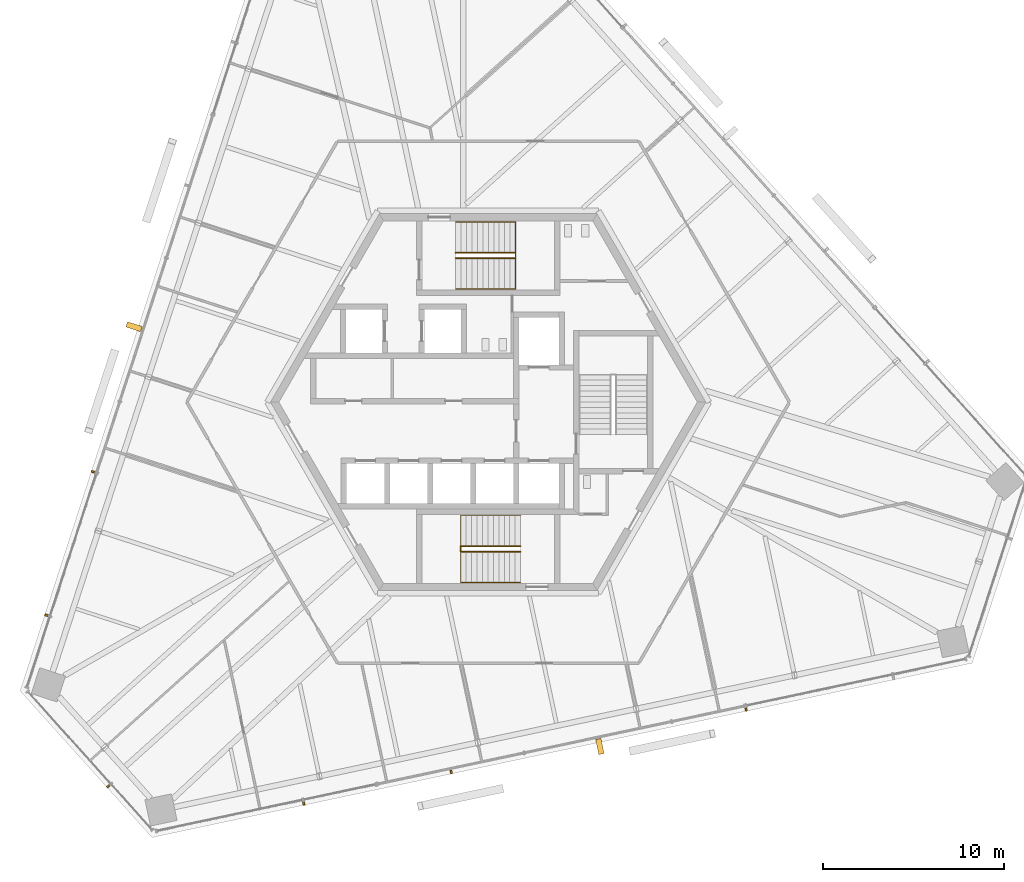
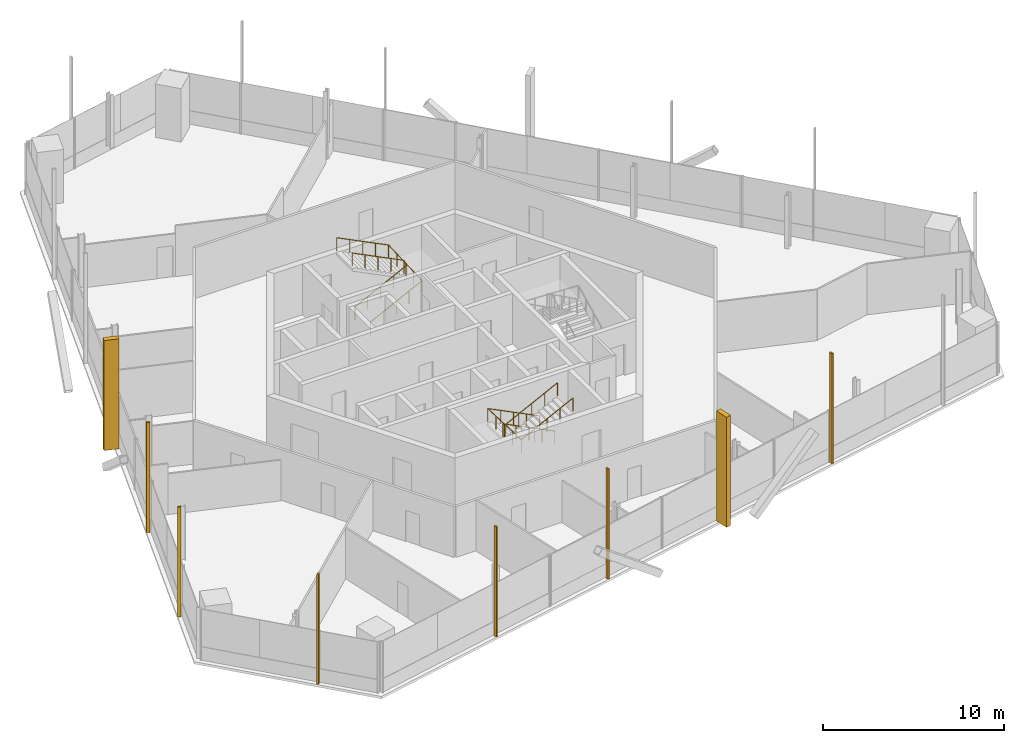
# One storey, part 14 of 17: 8 shading devices, 4 railings.
"""IFC4 building model written with IfcOpenShell, lengths in metres."""

from ifc_helpers import new_model, si_unit, direction, frame, origin, origin_2d, place, context, subcontext, project, spatial, rectangle, circle, extrude, source, transform, mapped, material, type_object, element, save


model = new_model("IFC4")

# Units and contexts
model_context = context("Model", 3, precision=1e-05, world=origin(), true_north=direction((0.0, 1.0)))
body_context = subcontext(model_context, "Body", "Model", "MODEL_VIEW")
ifc_project = project(units=[si_unit("LENGTHUNIT", "METRE"), si_unit("AREAUNIT", "SQUARE_METRE"), si_unit("VOLUMEUNIT", "CUBIC_METRE"), si_unit("PLANEANGLEUNIT", "RADIAN"), si_unit("MASSUNIT", "GRAM", prefix="KILO")], contexts=[model_context])

# Site, building, storey
site_placement = place(None, origin())
site = spatial("IfcSite", under=ifc_project, at=site_placement, CompositionType="ELEMENT")
building_placement = place(site_placement, origin())
building = spatial("IfcBuilding", under=site, at=building_placement, Name="Triune Harvest Tower", CompositionType="ELEMENT")
storey_placement = place(building_placement, frame((0.0, 0.0, 281.10009765625)))
storey = spatial("IfcBuildingStorey", under=building, at=storey_placement, Name="L74", CompositionType="ELEMENT", Elevation=281.10009765625)

# Railings
ifc_material_1 = material(Name="Stainless steel AISI 316", Category="steel")
railing_type = type_object("IfcRailingType", Name="Stair handrail", PredefinedType="HANDRAIL", material=ifc_material_1)
shared_shape_1 = source(origin(), body_context, "Body", "SweptSolid", [
    extrude(circle(Radius=0.02392578125, at=origin_2d()), frame((0.0, 0.0, 0.8759765625), z_axis=(0.894440424912, 0.0, 0.447187126696), x_axis=(0.0, 1.0, 0.0)), (0.0, 0.0, 1.0), 3.689453125),
    extrude(circle(Radius=0.02392578125, at=origin_2d()), frame((3.300048828125, 0.0, 2.52587890625), z_axis=(0.0, 0.999177620331, 0.040547293732), x_axis=(-1.0, 0.0, 0.0)), (0.0, 0.0, 1.0), 3.702880859375),
    extrude(circle(Radius=0.02392578125, at=origin_2d()), frame((3.300048828125, 3.699951171875, 2.67578125), z_axis=(-0.894440424912, 0.0, 0.447187126696), x_axis=(0.0, -1.0, 0.0)), (0.0, 0.0, 1.0), 3.689453125),
    extrude(circle(Radius=0.02099609375, at=origin_2d()), origin(), (0.0, 0.0, 1.0), 0.851806640625),
    extrude(circle(Radius=0.02099609375, at=origin_2d()), frame((0.824951171875, 0.0, 0.41259765625)), (0.0, 0.0, 1.0), 0.851806640625),
    extrude(circle(Radius=0.02099609375, at=origin_2d()), frame((1.64990234375, 0.0, 0.824951171875)), (0.0, 0.0, 1.0), 0.851806640625),
    extrude(circle(Radius=0.02099609375, at=origin_2d()), frame((2.47509765625, 0.0, 1.2373046875)), (0.0, 0.0, 1.0), 0.851806640625),
    extrude(circle(Radius=0.02099609375, at=origin_2d()), frame((3.300048828125, 0.0, 1.64990234375)), (0.0, 0.0, 1.0), 0.851806640625),
    extrude(circle(Radius=0.02099609375, at=origin_2d()), frame((3.300048828125, 0.925048828125, 1.6875)), (0.0, 0.0, 1.0), 0.851806640625),
    extrude(circle(Radius=0.02099609375, at=origin_2d()), frame((3.300048828125, 1.85009765625, 1.72509765625)), (0.0, 0.0, 1.0), 0.851806640625),
    extrude(circle(Radius=0.02099609375, at=origin_2d()), frame((3.300048828125, 2.77490234375, 1.762451171875)), (0.0, 0.0, 1.0), 0.851806640625),
    extrude(circle(Radius=0.02099609375, at=origin_2d()), frame((3.300048828125, 3.699951171875, 1.800048828125)), (0.0, 0.0, 1.0), 0.851806640625),
    extrude(circle(Radius=0.02099609375, at=origin_2d()), frame((2.47509765625, 3.699951171875, 2.21240234375)), (0.0, 0.0, 1.0), 0.851806640625),
    extrude(circle(Radius=0.02099609375, at=origin_2d()), frame((1.64990234375, 3.699951171875, 2.625)), (0.0, 0.0, 1.0), 0.851806640625),
    extrude(circle(Radius=0.02099609375, at=origin_2d()), frame((0.824951171875, 3.699951171875, 3.03759765625)), (0.0, 0.0, 1.0), 0.851806640625),
    extrude(circle(Radius=0.02099609375, at=origin_2d()), frame((0.0, 3.699951171875, 3.449951171875)), (0.0, 0.0, 1.0), 0.851806640625),
])
railing_1_placement = place(storey_placement, frame((-1.7900390625, 6.239990234375, 0.14990234375)))
element("IfcRailing", 1, at=railing_1_placement, inside=storey, type_object=railing_type, Name="Exit stair north wall handrail", PredefinedType="HANDRAIL", context=body_context, shape_type="MappedRepresentation", body=[
    mapped(shared_shape_1, transform((0.0, 0.0, 0.0), scale=1.0)),
])
shared_shape_2 = source(origin(), body_context, "Body", "SweptSolid", [
    extrude(circle(Radius=0.02392578125, at=origin_2d()), frame((0.0, 0.0, 0.8759765625), z_axis=(0.894440424912, 0.0, 0.447187126696), x_axis=(0.0, 1.0, 0.0)), (0.0, 0.0, 1.0), 3.689453125),
    extrude(circle(Radius=0.02392578125, at=origin_2d()), frame((3.300048828125, 0.0, 2.52587890625), z_axis=(0.0, 0.894281613681, 0.447504631744), x_axis=(-1.0, 0.0, 0.0)), (0.0, 0.0, 1.0), 0.33544921875),
    extrude(circle(Radius=0.02392578125, at=origin_2d()), frame((3.300048828125, 0.300048828125, 2.67578125), z_axis=(-0.894440424912, 0.0, 0.447187126696), x_axis=(0.0, -1.0, 0.0)), (0.0, 0.0, 1.0), 3.689453125),
    extrude(circle(Radius=0.02099609375, at=origin_2d()), origin(), (0.0, 0.0, 1.0), 0.851806640625),
    extrude(circle(Radius=0.02099609375, at=origin_2d()), frame((0.824951171875, 0.0, 0.41259765625)), (0.0, 0.0, 1.0), 0.851806640625),
    extrude(circle(Radius=0.02099609375, at=origin_2d()), frame((1.64990234375, 0.0, 0.824951171875)), (0.0, 0.0, 1.0), 0.851806640625),
    extrude(circle(Radius=0.02099609375, at=origin_2d()), frame((2.47509765625, 0.0, 1.2373046875)), (0.0, 0.0, 1.0), 0.851806640625),
    extrude(circle(Radius=0.02099609375, at=origin_2d()), frame((3.300048828125, 0.0, 1.64990234375)), (0.0, 0.0, 1.0), 0.851806640625),
    extrude(circle(Radius=0.02099609375, at=origin_2d()), frame((3.300048828125, 0.300048828125, 1.800048828125)), (0.0, 0.0, 1.0), 0.851806640625),
    extrude(circle(Radius=0.02099609375, at=origin_2d()), frame((2.47509765625, 0.300048828125, 2.21240234375)), (0.0, 0.0, 1.0), 0.851806640625),
    extrude(circle(Radius=0.02099609375, at=origin_2d()), frame((1.64990234375, 0.300048828125, 2.625)), (0.0, 0.0, 1.0), 0.851806640625),
    extrude(circle(Radius=0.02099609375, at=origin_2d()), frame((0.824951171875, 0.300048828125, 3.03759765625)), (0.0, 0.0, 1.0), 0.851806640625),
    extrude(circle(Radius=0.02099609375, at=origin_2d()), frame((0.0, 0.300048828125, 3.449951171875)), (0.0, 0.0, 1.0), 0.851806640625),
])
railing_2_placement = place(storey_placement, frame((-1.7900390625, 7.93994140625, 0.14990234375)))
element("IfcRailing", 2, at=railing_2_placement, inside=storey, type_object=railing_type, Name="Exit stair north centre handrail", PredefinedType="HANDRAIL", context=body_context, shape_type="MappedRepresentation", body=[
    mapped(shared_shape_2, transform((0.0, 0.0, 0.0), scale=1.0)),
])
shared_shape_3 = source(origin(), body_context, "Body", "SweptSolid", [
    extrude(circle(Radius=0.02392578125, at=origin_2d()), frame((0.0, 0.0, 0.8759765625), z_axis=(-0.894440424912, 0.0, 0.447187126696), x_axis=(0.0, -1.0, 0.0)), (0.0, 0.0, 1.0), 3.689453125),
    extrude(circle(Radius=0.02392578125, at=origin_2d()), frame((-3.300048828125, 0.0, 2.52587890625), z_axis=(0.0, -0.999177620331, 0.040547293732), x_axis=(1.0, 0.0, 0.0)), (0.0, 0.0, 1.0), 3.702880859375),
    extrude(circle(Radius=0.02392578125, at=origin_2d()), frame((-3.300048828125, -3.699951171875, 2.67578125), z_axis=(0.894440424912, 0.0, 0.447187126696), x_axis=(0.0, 1.0, 0.0)), (0.0, 0.0, 1.0), 3.689453125),
    extrude(circle(Radius=0.02099609375, at=origin_2d()), origin(), (0.0, 0.0, 1.0), 0.851806640625),
    extrude(circle(Radius=0.02099609375, at=origin_2d()), frame((-0.824951171875, 0.0, 0.41259765625)), (0.0, 0.0, 1.0), 0.851806640625),
    extrude(circle(Radius=0.02099609375, at=origin_2d()), frame((-1.64990234375, 0.0, 0.824951171875)), (0.0, 0.0, 1.0), 0.851806640625),
    extrude(circle(Radius=0.02099609375, at=origin_2d()), frame((-2.47509765625, 0.0, 1.2373046875)), (0.0, 0.0, 1.0), 0.851806640625),
    extrude(circle(Radius=0.02099609375, at=origin_2d()), frame((-3.300048828125, 0.0, 1.64990234375)), (0.0, 0.0, 1.0), 0.851806640625),
    extrude(circle(Radius=0.02099609375, at=origin_2d()), frame((-3.300048828125, -0.925048828125, 1.6875)), (0.0, 0.0, 1.0), 0.851806640625),
    extrude(circle(Radius=0.02099609375, at=origin_2d()), frame((-3.300048828125, -1.85009765625, 1.72509765625)), (0.0, 0.0, 1.0), 0.851806640625),
    extrude(circle(Radius=0.02099609375, at=origin_2d()), frame((-3.300048828125, -2.77490234375, 1.762451171875)), (0.0, 0.0, 1.0), 0.851806640625),
    extrude(circle(Radius=0.02099609375, at=origin_2d()), frame((-3.300048828125, -3.699951171875, 1.800048828125)), (0.0, 0.0, 1.0), 0.851806640625),
    extrude(circle(Radius=0.02099609375, at=origin_2d()), frame((-2.47509765625, -3.699951171875, 2.21240234375)), (0.0, 0.0, 1.0), 0.851806640625),
    extrude(circle(Radius=0.02099609375, at=origin_2d()), frame((-1.64990234375, -3.699951171875, 2.625)), (0.0, 0.0, 1.0), 0.851806640625),
    extrude(circle(Radius=0.02099609375, at=origin_2d()), frame((-0.824951171875, -3.699951171875, 3.03759765625)), (0.0, 0.0, 1.0), 0.851806640625),
    extrude(circle(Radius=0.02099609375, at=origin_2d()), frame((0.0, -3.699951171875, 3.449951171875)), (0.0, 0.0, 1.0), 0.851806640625),
])
railing_3_placement = place(storey_placement, frame((1.7900390625, -6.239990234375, 0.14990234375)))
element("IfcRailing", 3, at=railing_3_placement, inside=storey, type_object=railing_type, Name="Exit stair south wall handrail", PredefinedType="HANDRAIL", context=body_context, shape_type="MappedRepresentation", body=[
    mapped(shared_shape_3, transform((0.0, 0.0, 0.0), scale=1.0)),
])
shared_shape_4 = source(origin(), body_context, "Body", "SweptSolid", [
    extrude(circle(Radius=0.02392578125, at=origin_2d()), frame((0.0, 0.0, 0.8759765625), z_axis=(-0.894440424912, 0.0, 0.447187126696), x_axis=(0.0, -1.0, 0.0)), (0.0, 0.0, 1.0), 3.689453125),
    extrude(circle(Radius=0.02392578125, at=origin_2d()), frame((-3.300048828125, 0.0, 2.52587890625), z_axis=(0.0, -0.894281613681, 0.447504631744), x_axis=(1.0, 0.0, 0.0)), (0.0, 0.0, 1.0), 0.33544921875),
    extrude(circle(Radius=0.02392578125, at=origin_2d()), frame((-3.300048828125, -0.300048828125, 2.67578125), z_axis=(0.894440424912, 0.0, 0.447187126696), x_axis=(0.0, 1.0, 0.0)), (0.0, 0.0, 1.0), 3.689453125),
    extrude(circle(Radius=0.02099609375, at=origin_2d()), origin(), (0.0, 0.0, 1.0), 0.851806640625),
    extrude(circle(Radius=0.02099609375, at=origin_2d()), frame((-0.824951171875, 0.0, 0.41259765625)), (0.0, 0.0, 1.0), 0.851806640625),
    extrude(circle(Radius=0.02099609375, at=origin_2d()), frame((-1.64990234375, 0.0, 0.824951171875)), (0.0, 0.0, 1.0), 0.851806640625),
    extrude(circle(Radius=0.02099609375, at=origin_2d()), frame((-2.47509765625, 0.0, 1.2373046875)), (0.0, 0.0, 1.0), 0.851806640625),
    extrude(circle(Radius=0.02099609375, at=origin_2d()), frame((-3.300048828125, 0.0, 1.64990234375)), (0.0, 0.0, 1.0), 0.851806640625),
    extrude(circle(Radius=0.02099609375, at=origin_2d()), frame((-3.300048828125, -0.300048828125, 1.800048828125)), (0.0, 0.0, 1.0), 0.851806640625),
    extrude(circle(Radius=0.02099609375, at=origin_2d()), frame((-2.47509765625, -0.300048828125, 2.21240234375)), (0.0, 0.0, 1.0), 0.851806640625),
    extrude(circle(Radius=0.02099609375, at=origin_2d()), frame((-1.64990234375, -0.300048828125, 2.625)), (0.0, 0.0, 1.0), 0.851806640625),
    extrude(circle(Radius=0.02099609375, at=origin_2d()), frame((-0.824951171875, -0.300048828125, 3.03759765625)), (0.0, 0.0, 1.0), 0.851806640625),
    extrude(circle(Radius=0.02099609375, at=origin_2d()), frame((0.0, -0.300048828125, 3.449951171875)), (0.0, 0.0, 1.0), 0.851806640625),
])
railing_4_placement = place(storey_placement, frame((1.7900390625, -7.93994140625, 0.14990234375)))
element("IfcRailing", 4, at=railing_4_placement, inside=storey, type_object=railing_type, Name="Exit stair south centre handrail", PredefinedType="HANDRAIL", context=body_context, shape_type="MappedRepresentation", body=[
    mapped(shared_shape_4, transform((0.0, 0.0, 0.0), scale=1.0)),
])

# Shading devices
ifc_material_2 = material(Name="Aluminium bronze anodised", Category="aluminium")
shared_shape_5 = source(origin(), body_context, "Body", "SweptSolid", [
    extrude(rectangle(XDim=0.10009765625, YDim=0.199951171875, at=origin_2d()), origin(), (0.0, 0.0, 1.0), 7.419921875),
])
for number, where, z_axis, x_axis, name in (
    (5, (-21.78466796875, -3.845947265625, 0.0), (0.0, 0.0, 1.0), (-0.309016354995, -0.951056724042, 0.0), "FN-1 fin B7-F3.9 L74"),
    (6, (-24.35302734375, -11.750732421875, 0.0), (0.0, 0.0, 1.0), (-0.309016354995, -0.951056724042, 0.0), "FN-1 fin B7-F3.11 L74"),
    (7, (-20.944580078125, -21.1806640625, 0.0), (0.0, 0.0, 1.0), (0.669132031472, -0.743143542297, 0.0), "FN-1 fin B7-F4.3 L74"),
    (8, (-10.1669921875, -22.127197265625, 0.0), (0.0, 0.0, 1.0), (0.978147751834, 0.207910979944, 0.0), "FN-1 fin B7-F5.3 L74"),
    (9, (-2.036865234375, -20.399169921875, 0.0), (0.0, 0.0, 1.0), (0.978147751834, 0.207910979944, 0.0), "FN-1 fin B7-F5.5 L74"),
    (10, (14.222900390625, -16.943115234375, 0.0), (0.0, 0.0, 1.0), (0.978147751834, 0.207910979944, 0.0), "FN-1 fin B7-F5.9 L74"),
):
    element("IfcShadingDevice", number, at=place(storey_placement, frame(where, z_axis=z_axis, x_axis=x_axis)), inside=storey, material=ifc_material_2, Name=name, ObjectType="FIN", PredefinedType="USERDEFINED", context=body_context, shape_type="MappedRepresentation", body=[
        mapped(shared_shape_5, transform((0.0, 0.0, 0.0), scale=1.0)),
    ])
shared_shape_6 = source(origin(), body_context, "Body", "SweptSolid", [
    extrude(rectangle(XDim=0.300048828125, YDim=0.85009765625, at=origin_2d()), origin(), (0.0, 0.0, 1.0), 7.419921875),
])
for number, where, z_axis, x_axis, name in (
    (11, (-19.525146484375, 4.1591796875, 0.0), (0.0, 0.0, 1.0), (-0.309016354995, -0.951056724042, 0.0), "FN-2 fin B7-F3.7 L74"),
    (12, (6.16064453125, -18.989013671875, 0.0), (0.0, 0.0, 1.0), (0.978147751834, 0.207910979944, 0.0), "FN-2 fin B7-F5.7 L74"),
):
    element("IfcShadingDevice", number, at=place(storey_placement, frame(where, z_axis=z_axis, x_axis=x_axis)), inside=storey, material=ifc_material_2, Name=name, ObjectType="FIN", PredefinedType="USERDEFINED", context=body_context, shape_type="MappedRepresentation", body=[
        mapped(shared_shape_6, transform((0.0, 0.0, 0.0), scale=1.0)),
    ])

save(model, "model.ifc")
